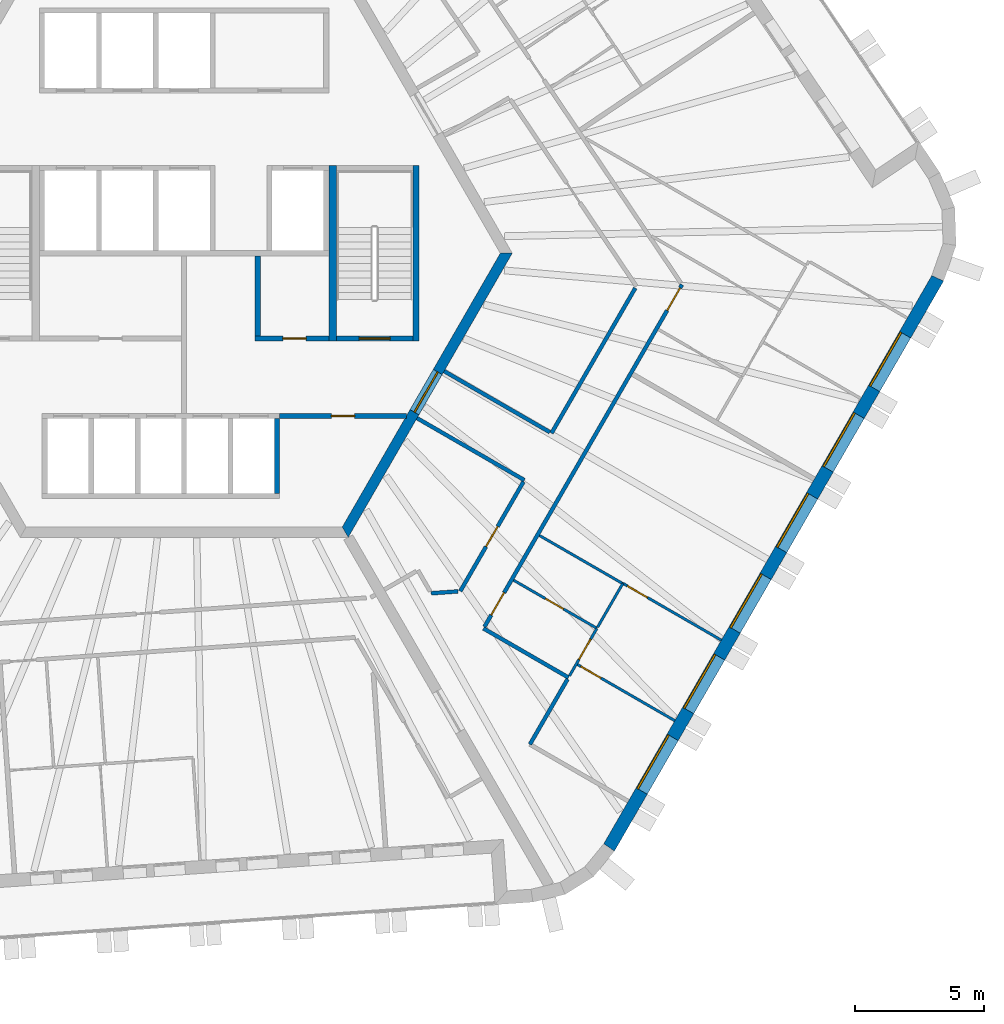
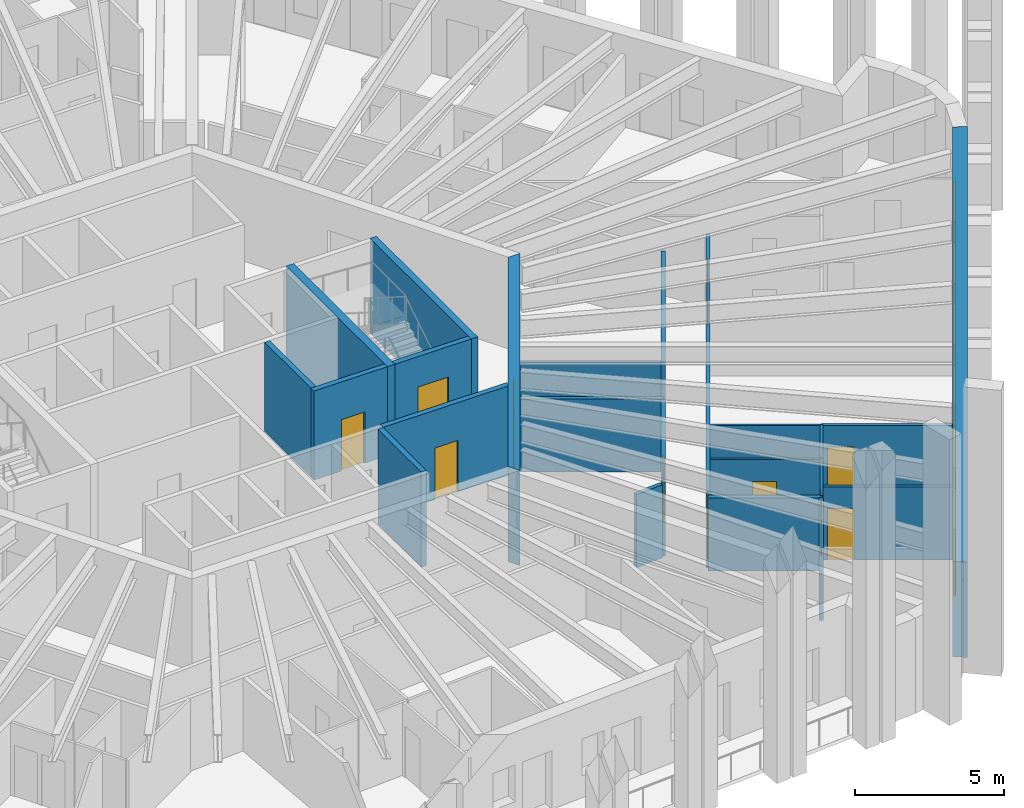
# One storey, part 6 of 13: 23 walls, 11 doors, 6 windows, 17 openings.
"""IFC4 building model written with IfcOpenShell, lengths in metres."""

from ifc_helpers import new_model, si_unit, direction, frame, frame_2d, origin, place, context, subcontext, project, spatial, polyline, rectangle, outline, extrude, material, layer, layer_set, type_object, element, fill, save


model = new_model("IFC4")

# Units and contexts
model_context = context("Model", 3, precision=1e-05, world=origin(), true_north=direction((0.0, 1.0)))
body_context = subcontext(model_context, "Body", "Model", "MODEL_VIEW")
ifc_project = project(units=[si_unit("LENGTHUNIT", "METRE"), si_unit("AREAUNIT", "SQUARE_METRE"), si_unit("VOLUMEUNIT", "CUBIC_METRE"), si_unit("PLANEANGLEUNIT", "RADIAN"), si_unit("MASSUNIT", "GRAM", prefix="KILO")], contexts=[model_context])

# Site, building, storey
site_placement = place(None, origin())
site = spatial("IfcSite", under=ifc_project, at=site_placement, CompositionType="ELEMENT")
building_placement = place(site_placement, origin())
building = spatial("IfcBuilding", under=site, at=building_placement, Name="Tarnside Tower", CompositionType="ELEMENT")
storey_placement = place(building_placement, frame((0.0, 0.0, 279.60009765625)))
storey = spatial("IfcBuildingStorey", under=building, at=storey_placement, Name="L67", CompositionType="ELEMENT", Elevation=279.60009765625)

# Wall
ifc_material_1 = material(Name="Gypsum board partition on steel studs", Category="steel")
ifc_layer_1 = layer(ifc_material_1, 0.10009765625)
ifc_layer_set_1 = layer_set([ifc_layer_1], Name="Bathroom wall 100")
wall_type_1 = type_object("IfcWallType", Name="Bathroom wall 100", PredefinedType="PARTITIONING", material=ifc_layer_set_1)
wall_1_placement = place(storey_placement, frame((13.754150390625, -10.92724609375, 0.0), z_axis=(0.0, 0.0, 1.0), x_axis=(0.866040420308, -0.499973989716, 0.0)))
element("IfcWall", 1, at=wall_1_placement, inside=storey, type_object=wall_type_1, Name="Bathroom wall 22146", PredefinedType="PARTITIONING", context=body_context, shape_type="SweptSolid", body=[
    extrude(rectangle(XDim=3.724853515625, YDim=0.10009765625, at=frame_2d((1.8623046875, 0.0))), origin(), (0.0, 0.0, 1.0), 2.98779296875),
])

# Wall, opening, door
wall_2_placement = place(storey_placement, frame((15.97998046875, -14.521728515625, 0.0), z_axis=(0.0, 0.0, 1.0), x_axis=(-0.866012039196, 0.500023147432, 0.0)))
wall_2 = element("IfcWall", 2, at=wall_2_placement, inside=storey, type_object=wall_type_1, Name="Bathroom wall 22150", PredefinedType="PARTITIONING", context=body_context, shape_type="SweptSolid", body=[
    extrude(rectangle(XDim=3.724853515625, YDim=0.10009765625, at=frame_2d((1.8623046875, 0.0))), origin(), (0.0, 0.0, 1.0), 2.98779296875),
])
opening_1_placement = place(wall_2_placement, frame((1.5, 0.0, 0.0)))
opening_1 = element("IfcOpeningElement", 3, at=opening_1_placement, cuts=wall_2, Name="Opening D-B1", PredefinedType="OPENING", context=body_context, shape_type="SweptSolid", body=[
    extrude(rectangle(XDim=0.800048828125, YDim=2.10009765625, at=frame_2d((0.39990234375, 1.050048828125))), frame((0.0, 0.06005859375, 0.0), z_axis=(0.0, -1.0, 0.0), x_axis=(1.0, 0.0, 0.0)), (0.0, 0.0, 1.0), 0.1201171875),
])
ifc_material_2 = material(Name="Timber door leaf", Category="wood")
door_type_1 = type_object("IfcDoorType", Name="Bathroom door 800", OperationType="NOTDEFINED", PredefinedType="DOOR", material=ifc_material_2)
door_1_placement = place(opening_1_placement, origin())
door_1 = element("IfcDoor", 4, at=door_1_placement, inside=storey, type_object=door_type_1, Name="Bathroom door 22056", OperationType="SINGLE_SWING_LEFT", OverallHeight=2.10009765625, OverallWidth=0.800048828125, PredefinedType="DOOR", context=body_context, shape_type="SweptSolid", body=[
    extrude(rectangle(XDim=0.800048828125, YDim=2.10009765625, at=frame_2d((0.39990234375, 1.050048828125))), frame((0.0, 0.02490234375, 0.0), z_axis=(0.0, -1.0, 0.0), x_axis=(1.0, 0.0, 0.0)), (0.0, 0.0, 1.0), 0.050048828125),
])
fill(opening_1, door_1)

# Wall
wall_3_placement = place(storey_placement, frame((16.004150390625, -14.480224609375, 0.0), z_axis=(0.0, 0.0, 1.0), x_axis=(0.499888292545, 0.866089888508, 0.0)))
element("IfcWall", 5, at=wall_3_placement, inside=storey, type_object=wall_type_1, Name="Bathroom wall 22153", PredefinedType="PARTITIONING", context=body_context, shape_type="SweptSolid", body=[
    extrude(rectangle(XDim=1.9541015625, YDim=0.10009765625, at=frame_2d((0.97705078125, 0.0))), origin(), (0.0, 0.0, 1.0), 2.98779296875),
])

# Wall, opening, door
ifc_material_3 = material(Name="Concrete C40/50", Category="concrete")
ifc_layer_2 = layer(ifc_material_3, 0.199951171875)
ifc_layer_set_2 = layer_set([ifc_layer_2], Name="Core room partition 200 C40/50")
wall_type_2 = type_object("IfcWallType", Name="Core room partition 200 C40/50", PredefinedType="PARTITIONING", material=ifc_layer_set_2)
wall_4_placement = place(storey_placement, frame((2.75, -3.300048828125, 0.0), z_axis=(0.0, 0.0, 1.0), x_axis=(1.0, 0.0, 0.0)))
wall_4 = element("IfcWall", 6, at=wall_4_placement, inside=storey, type_object=wall_type_2, Name="L67 core partition R3S1", PredefinedType="PARTITIONING", context=body_context, shape_type="SweptSolid", body=[
    extrude(rectangle(XDim=2.85009765625, YDim=0.199951171875, at=frame_2d((1.425048828125, 0.0))), origin(), (0.0, 0.0, 1.0), 3.64990234375),
])
opening_2_placement = place(wall_4_placement, frame((1.074951171875, 0.0, 0.0)))
opening_2 = element("IfcOpeningElement", 7, at=opening_2_placement, cuts=wall_4, Name="Opening CD-room", PredefinedType="OPENING", context=body_context, shape_type="SweptSolid", body=[
    extrude(rectangle(XDim=0.89990234375, YDim=2.10009765625, at=frame_2d((0.449951171875, 1.050048828125))), frame((0.0, 0.10986328125, 0.0), z_axis=(0.0, -1.0, 0.0), x_axis=(1.0, 0.0, 0.0)), (0.0, 0.0, 1.0), 0.219970703125),
])
ifc_material_4 = material(Name="Steel fire door", Category="steel")
door_type_2 = type_object("IfcDoorType", Name="Room door FD60 900x2100", OperationType="NOTDEFINED", PredefinedType="DOOR", material=ifc_material_4)
door_2_placement = place(opening_2_placement, origin())
door_2 = element("IfcDoor", 8, at=door_2_placement, inside=storey, type_object=door_type_2, Name="L67 core room door SR1", OperationType="SINGLE_SWING_LEFT", OverallHeight=2.10009765625, OverallWidth=0.89990234375, PredefinedType="DOOR", context=body_context, shape_type="SweptSolid", body=[
    extrude(rectangle(XDim=0.89990234375, YDim=2.10009765625, at=frame_2d((0.449951171875, 1.050048828125))), frame((0.0, 0.02490234375, 0.0), z_axis=(0.0, -1.0, 0.0), x_axis=(1.0, 0.0, 0.0)), (0.0, 0.0, 1.0), 0.050048828125),
])
fill(opening_2, door_2)

# Wall
wall_5_placement = place(storey_placement, frame((2.85009765625, -3.199951171875, 0.0), z_axis=(0.0, 0.0, 1.0), x_axis=(0.0, 1.0, 0.0)))
element("IfcWall", 9, at=wall_5_placement, inside=storey, type_object=wall_type_2, Name="L67 core partition R3P1a", PredefinedType="PARTITIONING", context=body_context, shape_type="SweptSolid", body=[
    extrude(rectangle(XDim=3.099853515625, YDim=0.199951171875, at=frame_2d((1.5498046875, 0.0))), origin(), (0.0, 0.0, 1.0), 3.64990234375),
])

# Wall, opening, door
wall_6_placement = place(storey_placement, frame((3.699951171875, -6.300048828125, 0.0), z_axis=(0.0, 0.0, 1.0), x_axis=(1.0, 0.0, 0.0)))
wall_6 = element("IfcWall", 10, at=wall_6_placement, inside=storey, type_object=wall_type_2, Name="L67 core partition R4X", PredefinedType="PARTITIONING", context=body_context, shape_type="SweptSolid", body=[
    extrude(rectangle(XDim=4.902587890625, YDim=0.199951171875, at=frame_2d((2.451171875, 0.0))), origin(), (0.0, 0.0, 1.0), 3.64990234375),
])
opening_3_placement = place(wall_6_placement, frame((2.001220703125, 0.0, 0.0)))
opening_3 = element("IfcOpeningElement", 11, at=opening_3_placement, cuts=wall_6, Name="Opening CD-room", PredefinedType="OPENING", context=body_context, shape_type="SweptSolid", body=[
    extrude(rectangle(XDim=0.89990234375, YDim=2.10009765625, at=frame_2d((0.449951171875, 1.050048828125))), frame((0.0, 0.10986328125, 0.0), z_axis=(0.0, -1.0, 0.0), x_axis=(1.0, 0.0, 0.0)), (0.0, 0.0, 1.0), 0.219970703125),
])
door_3_placement = place(opening_3_placement, origin())
door_3 = element("IfcDoor", 12, at=door_3_placement, inside=storey, type_object=door_type_2, Name="L67 core room door RX", OperationType="SINGLE_SWING_LEFT", OverallHeight=2.10009765625, OverallWidth=0.89990234375, PredefinedType="DOOR", context=body_context, shape_type="SweptSolid", body=[
    extrude(rectangle(XDim=0.89990234375, YDim=2.10009765625, at=frame_2d((0.449951171875, 1.050048828125))), frame((0.0, 0.02490234375, 0.0), z_axis=(0.0, -1.0, 0.0), x_axis=(1.0, 0.0, 0.0)), (0.0, 0.0, 1.0), 0.050048828125),
])
fill(opening_3, door_3)

ifc_material_5 = material(Name="Concrete C60/75", Category="concrete")
ifc_layer_3 = layer(ifc_material_5, 0.39990234375)
ifc_layer_set_3 = layer_set([ifc_layer_3], Name="Core wall Z3 400 C60/75")
wall_type_3 = type_object("IfcWallType", Name="Core wall Z3 400 C60/75", PredefinedType="SHEAR", material=ifc_layer_set_3)
wall_7_placement = place(storey_placement, frame((6.2353515625, -10.800048828125, -0.150146484375), z_axis=(0.0, 0.0, 1.0), x_axis=(0.499996419489, 0.866027470984, 0.0)))
wall_7 = element("IfcWall", 13, at=wall_7_placement, inside=storey, type_object=wall_type_3, Name="L67 core wall face 5", PredefinedType="SHEAR", context=body_context, shape_type="SweptSolid", body=[
    extrude(outline(polyline([(-0.115478515625, -0.199951171875), (12.586181640625, -0.199951171875), (12.355224609375, 0.199951171875), (0.115478515625, 0.199951171875), (-0.115478515625, -0.199951171875)])), origin(), (0.0, 0.0, 1.0), 3.900146484375),
])
opening_4_placement = place(wall_7_placement, frame((5.3642578125, 0.0, 0.14990234375)))
opening_4 = element("IfcOpeningElement", 14, at=opening_4_placement, cuts=wall_7, Name="Opening CD-FFL", PredefinedType="OPENING", context=body_context, shape_type="SweptSolid", body=[
    extrude(rectangle(XDim=1.800048828125, YDim=2.39990234375, at=frame_2d((0.89990234375, 1.199951171875))), frame((0.0, 0.2099609375, 0.0), z_axis=(0.0, -1.0, 0.0), x_axis=(1.0, 0.0, 0.0)), (0.0, 0.0, 1.0), 0.419921875),
])
door_type_3 = type_object("IfcDoorType", Name="Firefighting lobby double door FD60S 1800x2400", OperationType="NOTDEFINED", PredefinedType="DOOR", material=ifc_material_4)
door_4_placement = place(opening_4_placement, origin())
door_4 = element("IfcDoor", 15, at=door_4_placement, inside=storey, type_object=door_type_3, Name="L67 core door P4", OperationType="DOUBLE_DOOR_SINGLE_SWING", OverallHeight=2.39990234375, OverallWidth=1.800048828125, PredefinedType="DOOR", context=body_context, shape_type="SweptSolid", body=[
    extrude(rectangle(XDim=1.800048828125, YDim=2.39990234375, at=frame_2d((0.89990234375, 1.199951171875))), frame((0.0, 0.02490234375, 0.0), z_axis=(0.0, -1.0, 0.0), x_axis=(1.0, 0.0, 0.0)), (0.0, 0.0, 1.0), 0.050048828125),
])
fill(opening_4, door_4)

# Wall, openings, doors
ifc_layer_4 = layer(ifc_material_1, 0.14990234375)
ifc_layer_set_4 = layer_set([ifc_layer_4], Name="Corridor wall 150 EI 60")
wall_type_4 = type_object("IfcWallType", Name="Corridor wall 150 EI 60", PredefinedType="PARTITIONING", material=ifc_layer_set_4)
wall_8_placement = place(storey_placement, frame((11.626708984375, -14.4619140625, 0.0), z_axis=(0.0, 0.0, 1.0), x_axis=(0.499994634027, 0.866028501808, 0.0)))
wall_8 = element("IfcWall", 16, at=wall_8_placement, inside=storey, type_object=wall_type_4, Name="Corridor wall 22055", PredefinedType="PARTITIONING", context=body_context, shape_type="SweptSolid", body=[
    extrude(rectangle(XDim=15.296142578125, YDim=0.14990234375, at=frame_2d((7.64794921875, 0.0))), origin(), (0.0, 0.0, 1.0), 2.98779296875),
])
opening_5_placement = place(wall_8_placement, frame((0.52490234375, 0.0, 0.0)))
opening_5 = element("IfcOpeningElement", 17, at=opening_5_placement, cuts=wall_8, Name="Opening D-E1", PredefinedType="OPENING", context=body_context, shape_type="SweptSolid", body=[
    extrude(rectangle(XDim=1.0, YDim=2.10009765625, at=frame_2d((0.5, 1.050048828125))), frame((0.0, 0.0849609375, 0.0), z_axis=(0.0, -1.0, 0.0), x_axis=(1.0, 0.0, 0.0)), (0.0, 0.0, 1.0), 0.169921875),
])
opening_6_placement = place(wall_8_placement, frame((14.146240234375, 0.0, 0.0)))
opening_6 = element("IfcOpeningElement", 18, at=opening_6_placement, cuts=wall_8, Name="Opening D-E1", PredefinedType="OPENING", context=body_context, shape_type="SweptSolid", body=[
    extrude(rectangle(XDim=1.0, YDim=2.10009765625, at=frame_2d((0.5, 1.050048828125))), frame((0.0, 0.0849609375, 0.0), z_axis=(0.0, -1.0, 0.0), x_axis=(1.0, 0.0, 0.0)), (0.0, 0.0, 1.0), 0.169921875),
])
door_type_4 = type_object("IfcDoorType", Name="Unit entrance door 1000 FD30S", OperationType="NOTDEFINED", PredefinedType="DOOR", material=ifc_material_2)
door_5_placement = place(opening_5_placement, origin())
door_5 = element("IfcDoor", 19, at=door_5_placement, inside=storey, type_object=door_type_4, Name="Unit door 22055", OperationType="SINGLE_SWING_RIGHT", OverallHeight=2.10009765625, OverallWidth=1.0, PredefinedType="DOOR", context=body_context, shape_type="SweptSolid", body=[
    extrude(rectangle(XDim=1.0, YDim=2.10009765625, at=frame_2d((0.5, 1.050048828125))), frame((0.0, 0.02490234375, 0.0), z_axis=(0.0, -1.0, 0.0), x_axis=(1.0, 0.0, 0.0)), (0.0, 0.0, 1.0), 0.050048828125),
])
fill(opening_5, door_5)
door_6_placement = place(opening_6_placement, origin())
door_6 = element("IfcDoor", 20, at=door_6_placement, inside=storey, type_object=door_type_4, Name="Unit door 22065", OperationType="SINGLE_SWING_LEFT", OverallHeight=2.10009765625, OverallWidth=1.0, PredefinedType="DOOR", context=body_context, shape_type="SweptSolid", body=[
    extrude(rectangle(XDim=1.0, YDim=2.10009765625, at=frame_2d((0.5, 1.050048828125))), frame((0.0, 0.02490234375, 0.0), z_axis=(0.0, -1.0, 0.0), x_axis=(1.0, 0.0, 0.0)), (0.0, 0.0, 1.0), 0.050048828125),
])
fill(opening_6, door_6)

# Walls
wall_9_placement = place(storey_placement, frame((14.880126953125, -16.427001953125, 0.0), z_axis=(0.0, 0.0, 1.0), x_axis=(-0.86601654697, 0.500015340139, 0.0)))
element("IfcWall", 21, at=wall_9_placement, inside=storey, type_object=wall_type_4, Name="Corridor wall 22056", PredefinedType="PARTITIONING", context=body_context, shape_type="SweptSolid", body=[
    extrude(rectangle(XDim=3.80029296875, YDim=0.14990234375, at=frame_2d((1.900146484375, 0.0))), origin(), (0.0, 0.0, 1.0), 2.98779296875),
])
wall_10_placement = place(storey_placement, frame((13.38623046875, -19.014404296875, 0.0), z_axis=(0.0, 0.0, 1.0), x_axis=(0.499983307531, 0.866035040971, 0.0)))
element("IfcWall", 22, at=wall_10_placement, inside=storey, type_object=wall_type_4, Name="Corridor wall 22059", PredefinedType="PARTITIONING", context=body_context, shape_type="SweptSolid", body=[
    extrude(rectangle(XDim=2.91650390625, YDim=0.14990234375, at=frame_2d((1.458251953125, 0.0))), origin(), (0.0, 0.0, 1.0), 2.98779296875),
])
wall_11_placement = place(storey_placement, frame((17.46533203125, -1.34912109375, 0.0), z_axis=(0.0, 0.0, 1.0), x_axis=(-0.500001610943, -0.866024473704, 0.0)))
element("IfcWall", 23, at=wall_11_placement, inside=storey, type_object=wall_type_4, Name="Corridor wall 22074", PredefinedType="PARTITIONING", context=body_context, shape_type="SweptSolid", body=[
    extrude(rectangle(XDim=6.4853515625, YDim=0.14990234375, at=frame_2d((3.24267578125, 0.0))), origin(), (0.0, 0.0, 1.0), 2.98779296875),
])
wall_12_placement = place(storey_placement, frame((14.15771484375, -6.92822265625, 0.0), z_axis=(0.0, 0.0, 1.0), x_axis=(-0.866024684746, 0.500001245408, 0.0)))
element("IfcWall", 24, at=wall_12_placement, inside=storey, type_object=wall_type_4, Name="Corridor wall 22075", PredefinedType="PARTITIONING", context=body_context, shape_type="SweptSolid", body=[
    extrude(rectangle(XDim=4.72509765625, YDim=0.14990234375, at=frame_2d((2.362548828125, 0.0))), origin(), (0.0, 0.0, 1.0), 2.98779296875),
])
wall_13_placement = place(storey_placement, frame((9.015625, -6.38427734375, 0.0), z_axis=(0.0, 0.0, 1.0), x_axis=(0.866015339567, -0.500017431331, 0.0)))
element("IfcWall", 25, at=wall_13_placement, inside=storey, type_object=wall_type_4, Name="Corridor wall 22076", PredefinedType="PARTITIONING", context=body_context, shape_type="SweptSolid", body=[
    extrude(rectangle(XDim=4.800048828125, YDim=0.14990234375, at=frame_2d((2.39990234375, 0.0))), origin(), (0.0, 0.0, 1.0), 2.98779296875),
])

# Wall, opening, door
wall_14_placement = place(storey_placement, frame((13.13525390625, -8.849365234375, 0.0), z_axis=(0.0, 0.0, 1.0), x_axis=(-0.500024829938, -0.866011067739, 0.0)))
wall_14 = element("IfcWall", 26, at=wall_14_placement, inside=storey, type_object=wall_type_4, Name="Corridor wall 22077", PredefinedType="PARTITIONING", context=body_context, shape_type="SweptSolid", body=[
    extrude(rectangle(XDim=4.892333984375, YDim=0.14990234375, at=frame_2d((2.4462890625, 0.0))), origin(), (0.0, 0.0, 1.0), 2.98779296875),
])
opening_7_placement = place(wall_14_placement, frame((1.996337890625, 0.0, 0.0)))
opening_7 = element("IfcOpeningElement", 27, at=opening_7_placement, cuts=wall_14, Name="Opening D-S1", PredefinedType="OPENING", context=body_context, shape_type="SweptSolid", body=[
    extrude(rectangle(XDim=0.89990234375, YDim=2.10009765625, at=frame_2d((0.449951171875, 1.050048828125))), frame((0.0, 0.0849609375, 0.0), z_axis=(0.0, -1.0, 0.0), x_axis=(1.0, 0.0, 0.0)), (0.0, 0.0, 1.0), 0.169921875),
])
door_type_5 = type_object("IfcDoorType", Name="Service room door 900 FD30S", OperationType="NOTDEFINED", PredefinedType="DOOR", material=ifc_material_2)
door_7_placement = place(opening_7_placement, origin())
door_7 = element("IfcDoor", 28, at=door_7_placement, inside=storey, type_object=door_type_5, Name="Service door 22091", OperationType="SINGLE_SWING_LEFT", OverallHeight=2.10009765625, OverallWidth=0.89990234375, PredefinedType="DOOR", context=body_context, shape_type="SweptSolid", body=[
    extrude(rectangle(XDim=0.89990234375, YDim=2.10009765625, at=frame_2d((0.449951171875, 1.050048828125))), frame((0.0, 0.02490234375, 0.0), z_axis=(0.0, -1.0, 0.0), x_axis=(1.0, 0.0, 0.0)), (0.0, 0.0, 1.0), 0.050048828125),
])
fill(opening_7, door_7)

# Walls
wall_15_placement = place(storey_placement, frame((10.5986328125, -13.092529296875, 0.0), z_axis=(0.0, 0.0, 1.0), x_axis=(-0.99755453913, -0.069892356245, 0.0)))
element("IfcWall", 29, at=wall_15_placement, inside=storey, type_object=wall_type_4, Name="Corridor wall 22078", PredefinedType="PARTITIONING", context=body_context, shape_type="SweptSolid", body=[
    extrude(rectangle(XDim=1.037353515625, YDim=0.14990234375, at=frame_2d((0.5185546875, 0.0))), origin(), (0.0, 0.0, 1.0), 2.98779296875),
])
ifc_layer_5 = layer(ifc_material_3, 0.199951171875)
ifc_layer_set_5 = layer_set([ifc_layer_5], Name="Lift shaft wall 200 C40/50")
wall_type_5 = type_object("IfcWallType", Name="Lift shaft wall 200 C40/50", PredefinedType="SHEAR", material=ifc_layer_set_5)
wall_16_placement = place(storey_placement, frame((3.60009765625, -9.300048828125, -0.25), z_axis=(0.0, 0.0, 1.0), x_axis=(0.0, 1.0, 0.0)))
element("IfcWall", 30, at=wall_16_placement, inside=storey, type_object=wall_type_5, Name="L67 lift shaft partition R46", PredefinedType="SHEAR", context=body_context, shape_type="SweptSolid", body=[
    extrude(rectangle(XDim=2.900146484375, YDim=0.199951171875, at=frame_2d((1.4501953125, 0.0))), origin(), (0.0, 0.0, 1.0), 3.89990234375),
])

# Wall, opening, door
wall_17_placement = place(storey_placement, frame((5.89990234375, -3.300048828125, -0.25), z_axis=(0.0, 0.0, 1.0), x_axis=(1.0, 0.0, 0.0)))
wall_17 = element("IfcWall", 31, at=wall_17_placement, inside=storey, type_object=wall_type_5, Name="L67 stair 1 enclosure cap wall s", PredefinedType="SHEAR", context=body_context, shape_type="SweptSolid", body=[
    extrude(rectangle(XDim=2.9501953125, YDim=0.199951171875, at=frame_2d((1.47509765625, 0.0))), origin(), (0.0, 0.0, 1.0), 3.89990234375),
])
opening_8_placement = place(wall_17_placement, frame((0.875, 0.0, 0.25)))
opening_8 = element("IfcOpeningElement", 32, at=opening_8_placement, cuts=wall_17, Name="Opening CD-STR", PredefinedType="OPENING", context=body_context, shape_type="SweptSolid", body=[
    extrude(rectangle(XDim=1.199951171875, YDim=2.39990234375, at=frame_2d((0.60009765625, 1.199951171875))), frame((0.0, 0.10986328125, 0.0), z_axis=(0.0, -1.0, 0.0), x_axis=(1.0, 0.0, 0.0)), (0.0, 0.0, 1.0), 0.219970703125),
])
door_type_6 = type_object("IfcDoorType", Name="Stair door FD60S 1200x2400", OperationType="NOTDEFINED", PredefinedType="DOOR", material=ifc_material_4)
door_8_placement = place(opening_8_placement, origin())
door_8 = element("IfcDoor", 33, at=door_8_placement, inside=storey, type_object=door_type_6, Name="L67 stair 1 door", OperationType="SINGLE_SWING_LEFT", OverallHeight=2.39990234375, OverallWidth=1.199951171875, PredefinedType="DOOR", context=body_context, shape_type="SweptSolid", body=[
    extrude(rectangle(XDim=1.199951171875, YDim=2.39990234375, at=frame_2d((0.60009765625, 1.199951171875))), frame((0.0, 0.02490234375, 0.0), z_axis=(0.0, -1.0, 0.0), x_axis=(1.0, 0.0, 0.0)), (0.0, 0.0, 1.0), 0.050048828125),
])
fill(opening_8, door_8)

ifc_layer_6 = layer(ifc_material_1, 0.10009765625)
ifc_layer_set_6 = layer_set([ifc_layer_6], Name="Partition 100")
wall_type_6 = type_object("IfcWallType", Name="Partition 100", PredefinedType="PARTITIONING", material=ifc_layer_set_6)
wall_18_placement = place(storey_placement, frame((16.985595703125, -12.7802734375, 0.0), z_axis=(0.0, 0.0, 1.0), x_axis=(0.866032203192, -0.499988222896, 0.0)))
wall_18 = element("IfcWall", 34, at=wall_18_placement, inside=storey, type_object=wall_type_6, Name="Partition wall 22147", PredefinedType="PARTITIONING", context=body_context, shape_type="SweptSolid", body=[
    extrude(rectangle(XDim=4.39990234375, YDim=0.10009765625, at=frame_2d((2.199951171875, 0.0))), origin(), (0.0, 0.0, 1.0), 2.98779296875),
])
opening_9_placement = place(wall_18_placement, frame((0.199951171875, 0.0, 0.0)))
opening_9 = element("IfcOpeningElement", 35, at=opening_9_placement, cuts=wall_18, Name="Opening D-I1", PredefinedType="OPENING", context=body_context, shape_type="SweptSolid", body=[
    extrude(rectangle(XDim=0.89990234375, YDim=2.10009765625, at=frame_2d((0.449951171875, 1.050048828125))), frame((0.0, 0.06005859375, 0.0), z_axis=(0.0, -1.0, 0.0), x_axis=(1.0, 0.0, 0.0)), (0.0, 0.0, 1.0), 0.1201171875),
])
door_type_7 = type_object("IfcDoorType", Name="Internal door 900", OperationType="NOTDEFINED", PredefinedType="DOOR", material=ifc_material_2)
door_9_placement = place(opening_9_placement, origin())
door_9 = element("IfcDoor", 36, at=door_9_placement, inside=storey, type_object=door_type_7, Name="Internal door 22064", OperationType="SINGLE_SWING_RIGHT", OverallHeight=2.10009765625, OverallWidth=0.89990234375, PredefinedType="DOOR", context=body_context, shape_type="SweptSolid", body=[
    extrude(rectangle(XDim=0.89990234375, YDim=2.10009765625, at=frame_2d((0.449951171875, 1.050048828125))), frame((0.0, 0.02490234375, 0.0), z_axis=(0.0, -1.0, 0.0), x_axis=(1.0, 0.0, 0.0)), (0.0, 0.0, 1.0), 0.050048828125),
])
fill(opening_9, door_9)

wall_19_placement = place(storey_placement, frame((14.91650390625, -16.36376953125, 0.0), z_axis=(0.0, 0.0, 1.0), x_axis=(0.499987164874, 0.866032814021, 0.0)))
wall_19 = element("IfcWall", 37, at=wall_19_placement, inside=storey, type_object=wall_type_6, Name="Partition wall 22151", PredefinedType="PARTITIONING", context=body_context, shape_type="SweptSolid", body=[
    extrude(rectangle(XDim=2.12890625, YDim=0.10009765625, at=frame_2d((1.064453125, 0.0))), origin(), (0.0, 0.0, 1.0), 2.98779296875),
])
opening_10_placement = place(wall_19_placement, frame((0.738037109375, 0.0, 0.0)))
opening_10 = element("IfcOpeningElement", 38, at=opening_10_placement, cuts=wall_19, Name="Opening D-I1", PredefinedType="OPENING", context=body_context, shape_type="SweptSolid", body=[
    extrude(rectangle(XDim=0.89990234375, YDim=2.10009765625, at=frame_2d((0.449951171875, 1.050048828125))), frame((0.0, 0.06005859375, 0.0), z_axis=(0.0, -1.0, 0.0), x_axis=(1.0, 0.0, 0.0)), (0.0, 0.0, 1.0), 0.1201171875),
])
door_10_placement = place(opening_10_placement, origin())
door_10 = element("IfcDoor", 39, at=door_10_placement, inside=storey, type_object=door_type_7, Name="Internal door 22059", OperationType="SINGLE_SWING_RIGHT", OverallHeight=2.10009765625, OverallWidth=0.89990234375, PredefinedType="DOOR", context=body_context, shape_type="SweptSolid", body=[
    extrude(rectangle(XDim=0.89990234375, YDim=2.10009765625, at=frame_2d((0.449951171875, 1.050048828125))), frame((0.0, 0.02490234375, 0.0), z_axis=(0.0, -1.0, 0.0), x_axis=(1.0, 0.0, 0.0)), (0.0, 0.0, 1.0), 0.050048828125),
])
fill(opening_10, door_10)

wall_20_placement = place(storey_placement, frame((18.99609375, -18.097900390625, 0.0), z_axis=(0.0, 0.0, 1.0), x_axis=(-0.866027639635, 0.499996127374, 0.0)))
wall_20 = element("IfcWall", 40, at=wall_20_placement, inside=storey, type_object=wall_type_6, Name="Partition wall 22154", PredefinedType="PARTITIONING", context=body_context, shape_type="SweptSolid", body=[
    extrude(rectangle(XDim=4.35009765625, YDim=0.10009765625, at=frame_2d((2.175048828125, 0.0))), origin(), (0.0, 0.0, 1.0), 2.98779296875),
])
opening_11_placement = place(wall_20_placement, frame((3.300048828125, 0.0, 0.0)))
opening_11 = element("IfcOpeningElement", 41, at=opening_11_placement, cuts=wall_20, Name="Opening D-I1", PredefinedType="OPENING", context=body_context, shape_type="SweptSolid", body=[
    extrude(rectangle(XDim=0.89990234375, YDim=2.10009765625, at=frame_2d((0.449951171875, 1.050048828125))), frame((0.0, 0.06005859375, 0.0), z_axis=(0.0, -1.0, 0.0), x_axis=(1.0, 0.0, 0.0)), (0.0, 0.0, 1.0), 0.1201171875),
])
door_11_placement = place(opening_11_placement, origin())
door_11 = element("IfcDoor", 42, at=door_11_placement, inside=storey, type_object=door_type_7, Name="Internal door 22062", OperationType="SINGLE_SWING_RIGHT", OverallHeight=2.10009765625, OverallWidth=0.89990234375, PredefinedType="DOOR", context=body_context, shape_type="SweptSolid", body=[
    extrude(rectangle(XDim=0.89990234375, YDim=2.10009765625, at=frame_2d((0.449951171875, 1.050048828125))), frame((0.0, 0.02490234375, 0.0), z_axis=(0.0, -1.0, 0.0), x_axis=(1.0, 0.0, 0.0)), (0.0, 0.0, 1.0), 0.050048828125),
])
fill(opening_11, door_11)

# Walls
ifc_layer_7 = layer(ifc_material_3, 0.25)
ifc_layer_set_7 = layer_set([ifc_layer_7], Name="Stair enclosure wall 250 C40/50")
wall_type_7 = type_object("IfcWallType", Name="Stair enclosure wall 250 C40/50", PredefinedType="SHEAR", material=ifc_layer_set_7)
wall_21_placement = place(storey_placement, frame((8.97509765625, -3.39990234375, -0.25), z_axis=(0.0, 0.0, 1.0), x_axis=(0.0, 1.0, 0.0)))
element("IfcWall", 43, at=wall_21_placement, inside=storey, type_object=wall_type_7, Name="L67 stair 1 enclosure wall outer", PredefinedType="SHEAR", context=body_context, shape_type="SweptSolid", body=[
    extrude(rectangle(XDim=6.7998046875, YDim=0.25, at=frame_2d((3.39990234375, 0.0))), origin(), (0.0, 0.0, 1.0), 3.89990234375),
])
ifc_layer_8 = layer(ifc_material_3, 0.300048828125)
ifc_layer_set_8 = layer_set([ifc_layer_8], Name="Stair enclosure wall 300 C40/50")
wall_type_8 = type_object("IfcWallType", Name="Stair enclosure wall 300 C40/50", PredefinedType="SHEAR", material=ifc_layer_set_8)
wall_22_placement = place(storey_placement, frame((5.75, -3.39990234375, -0.25), z_axis=(0.0, 0.0, 1.0), x_axis=(0.0, 1.0, 0.0)))
element("IfcWall", 44, at=wall_22_placement, inside=storey, type_object=wall_type_8, Name="L67 stair 1 enclosure wall inner", PredefinedType="SHEAR", context=body_context, shape_type="SweptSolid", body=[
    extrude(rectangle(XDim=6.7998046875, YDim=0.300048828125, at=frame_2d((3.39990234375, 0.0))), origin(), (0.0, 0.0, 1.0), 3.89990234375),
])

# Wall, openings, windows
ifc_material_6 = material(Name="Facing brick", Category="masonry")
ifc_layer_9 = layer(ifc_material_6, 0.10205078125)
ifc_material_7 = material(Name="Concrete C60/75 precast", Category="concrete")
ifc_layer_10 = layer(ifc_material_7, 0.298095703125)
ifc_material_8 = material(Name="Mineral wool insulation")
ifc_layer_11 = layer(ifc_material_8, 0.10009765625)
ifc_layer_set_9 = layer_set([ifc_layer_9, ifc_layer_10, ifc_layer_11], Name="Tube wall 500 brick faced")
wall_type_9 = type_object("IfcWallType", Name="Tube wall 500 brick faced", PredefinedType="SOLIDWALL", material=ifc_layer_set_9)
wall_23_placement = place(storey_placement, frame((16.451416015625, -23.00537109375, -0.150146484375), z_axis=(0.0, 0.0, 1.0), x_axis=(0.500003737743, 0.866023245787, 0.0)))
wall_23 = element("IfcWall", 45, at=wall_23_placement, inside=storey, type_object=wall_type_9, Name="Tube wall L67 F5 flush 24", PredefinedType="SOLIDWALL", context=body_context, shape_type="SweptSolid", body=[
    extrude(outline(polyline([(-0.0205078125, -0.25), (25.468017578125, -0.25), (25.421142578125, 0.25), (0.0205078125, 0.25), (-0.0205078125, -0.25)])), origin(), (0.0, 0.0, 1.0), 3.900146484375),
])
opening_12_placement = place(wall_23_placement, frame((2.5224609375, 0.0, 0.75)))
opening_12 = element("IfcOpeningElement", 46, at=opening_12_placement, cuts=wall_23, Name="Opening WR", PredefinedType="OPENING", context=body_context, shape_type="SweptSolid", body=[
    extrude(rectangle(XDim=2.39990234375, YDim=2.699951171875, at=frame_2d((1.199951171875, 1.35009765625))), frame((0.0, 0.260009765625, 0.0), z_axis=(0.0, -1.0, 0.0), x_axis=(1.0, 0.0, 0.0)), (0.0, 0.0, 1.0), 0.52001953125),
])
opening_13_placement = place(wall_23_placement, frame((6.122314453125, 0.0, 0.75)))
opening_13 = element("IfcOpeningElement", 47, at=opening_13_placement, cuts=wall_23, Name="Opening WR", PredefinedType="OPENING", context=body_context, shape_type="SweptSolid", body=[
    extrude(rectangle(XDim=2.39990234375, YDim=2.699951171875, at=frame_2d((1.199951171875, 1.35009765625))), frame((0.0, 0.260009765625, 0.0), z_axis=(0.0, -1.0, 0.0), x_axis=(1.0, 0.0, 0.0)), (0.0, 0.0, 1.0), 0.52001953125),
])
opening_14_placement = place(wall_23_placement, frame((9.722412109375, 0.0, 0.75)))
opening_14 = element("IfcOpeningElement", 48, at=opening_14_placement, cuts=wall_23, Name="Opening WR", PredefinedType="OPENING", context=body_context, shape_type="SweptSolid", body=[
    extrude(rectangle(XDim=2.39990234375, YDim=2.699951171875, at=frame_2d((1.199951171875, 1.35009765625))), frame((0.0, 0.260009765625, 0.0), z_axis=(0.0, -1.0, 0.0), x_axis=(1.0, 0.0, 0.0)), (0.0, 0.0, 1.0), 0.52001953125),
])
opening_15_placement = place(wall_23_placement, frame((13.322509765625, 0.0, 0.75)))
opening_15 = element("IfcOpeningElement", 49, at=opening_15_placement, cuts=wall_23, Name="Opening WR", PredefinedType="OPENING", context=body_context, shape_type="SweptSolid", body=[
    extrude(rectangle(XDim=2.39990234375, YDim=2.699951171875, at=frame_2d((1.199951171875, 1.35009765625))), frame((0.0, 0.260009765625, 0.0), z_axis=(0.0, -1.0, 0.0), x_axis=(1.0, 0.0, 0.0)), (0.0, 0.0, 1.0), 0.52001953125),
])
opening_16_placement = place(wall_23_placement, frame((16.92236328125, 0.0, 0.75)))
opening_16 = element("IfcOpeningElement", 50, at=opening_16_placement, cuts=wall_23, Name="Opening WR", PredefinedType="OPENING", context=body_context, shape_type="SweptSolid", body=[
    extrude(rectangle(XDim=2.39990234375, YDim=2.699951171875, at=frame_2d((1.199951171875, 1.35009765625))), frame((0.0, 0.260009765625, 0.0), z_axis=(0.0, -1.0, 0.0), x_axis=(1.0, 0.0, 0.0)), (0.0, 0.0, 1.0), 0.52001953125),
])
opening_17_placement = place(wall_23_placement, frame((20.5224609375, 0.0, 0.75)))
opening_17 = element("IfcOpeningElement", 51, at=opening_17_placement, cuts=wall_23, Name="Opening WR", PredefinedType="OPENING", context=body_context, shape_type="SweptSolid", body=[
    extrude(rectangle(XDim=2.39990234375, YDim=2.699951171875, at=frame_2d((1.199951171875, 1.35009765625))), frame((0.0, 0.260009765625, 0.0), z_axis=(0.0, -1.0, 0.0), x_axis=(1.0, 0.0, 0.0)), (0.0, 0.0, 1.0), 0.52001953125),
])
ifc_material_9 = material(Name="Aluminium-framed double glazing", Category="aluminium")
window_type = type_object("IfcWindowType", Name="Residence window 2400 x 2700", PartitioningType="DOUBLE_PANEL_VERTICAL", PredefinedType="WINDOW", material=ifc_material_9)
window_1_placement = place(opening_12_placement, frame((0.0, 0.179931640625, 0.0)))
window_1 = element("IfcWindow", 52, at=window_1_placement, inside=storey, type_object=window_type, Name="E.WN.L67.F5.00", OverallHeight=2.699951171875, OverallWidth=2.39990234375, PartitioningType="DOUBLE_PANEL_VERTICAL", PredefinedType="WINDOW", context=body_context, shape_type="SweptSolid", body=[
    extrude(rectangle(XDim=2.39990234375, YDim=2.699951171875, at=frame_2d((1.199951171875, 1.35009765625))), frame((0.0, 0.030029296875, 0.0), z_axis=(0.0, -1.0, 0.0), x_axis=(1.0, 0.0, 0.0)), (0.0, 0.0, 1.0), 0.06005859375),
])
fill(opening_12, window_1)
window_2_placement = place(opening_13_placement, frame((0.0, 0.179931640625, 0.0)))
window_2 = element("IfcWindow", 53, at=window_2_placement, inside=storey, type_object=window_type, Name="E.WN.L67.F5.01", OverallHeight=2.699951171875, OverallWidth=2.39990234375, PartitioningType="DOUBLE_PANEL_VERTICAL", PredefinedType="WINDOW", context=body_context, shape_type="SweptSolid", body=[
    extrude(rectangle(XDim=2.39990234375, YDim=2.699951171875, at=frame_2d((1.199951171875, 1.35009765625))), frame((0.0, 0.030029296875, 0.0), z_axis=(0.0, -1.0, 0.0), x_axis=(1.0, 0.0, 0.0)), (0.0, 0.0, 1.0), 0.06005859375),
])
fill(opening_13, window_2)
window_3_placement = place(opening_14_placement, frame((0.0, 0.179931640625, 0.0)))
window_3 = element("IfcWindow", 54, at=window_3_placement, inside=storey, type_object=window_type, Name="E.WN.L67.F5.02", OverallHeight=2.699951171875, OverallWidth=2.39990234375, PartitioningType="DOUBLE_PANEL_VERTICAL", PredefinedType="WINDOW", context=body_context, shape_type="SweptSolid", body=[
    extrude(rectangle(XDim=2.39990234375, YDim=2.699951171875, at=frame_2d((1.199951171875, 1.35009765625))), frame((0.0, 0.030029296875, 0.0), z_axis=(0.0, -1.0, 0.0), x_axis=(1.0, 0.0, 0.0)), (0.0, 0.0, 1.0), 0.06005859375),
])
fill(opening_14, window_3)
window_4_placement = place(opening_15_placement, frame((0.0, 0.179931640625, 0.0)))
window_4 = element("IfcWindow", 55, at=window_4_placement, inside=storey, type_object=window_type, Name="E.WN.L67.F5.03", OverallHeight=2.699951171875, OverallWidth=2.39990234375, PartitioningType="DOUBLE_PANEL_VERTICAL", PredefinedType="WINDOW", context=body_context, shape_type="SweptSolid", body=[
    extrude(rectangle(XDim=2.39990234375, YDim=2.699951171875, at=frame_2d((1.199951171875, 1.35009765625))), frame((0.0, 0.030029296875, 0.0), z_axis=(0.0, -1.0, 0.0), x_axis=(1.0, 0.0, 0.0)), (0.0, 0.0, 1.0), 0.06005859375),
])
fill(opening_15, window_4)
window_5_placement = place(opening_16_placement, frame((0.0, 0.179931640625, 0.0)))
window_5 = element("IfcWindow", 56, at=window_5_placement, inside=storey, type_object=window_type, Name="E.WN.L67.F5.04", OverallHeight=2.699951171875, OverallWidth=2.39990234375, PartitioningType="DOUBLE_PANEL_VERTICAL", PredefinedType="WINDOW", context=body_context, shape_type="SweptSolid", body=[
    extrude(rectangle(XDim=2.39990234375, YDim=2.699951171875, at=frame_2d((1.199951171875, 1.35009765625))), frame((0.0, 0.030029296875, 0.0), z_axis=(0.0, -1.0, 0.0), x_axis=(1.0, 0.0, 0.0)), (0.0, 0.0, 1.0), 0.06005859375),
])
fill(opening_16, window_5)
window_6_placement = place(opening_17_placement, frame((0.0, 0.179931640625, 0.0)))
window_6 = element("IfcWindow", 57, at=window_6_placement, inside=storey, type_object=window_type, Name="E.WN.L67.F5.05", OverallHeight=2.699951171875, OverallWidth=2.39990234375, PartitioningType="DOUBLE_PANEL_VERTICAL", PredefinedType="WINDOW", context=body_context, shape_type="SweptSolid", body=[
    extrude(rectangle(XDim=2.39990234375, YDim=2.699951171875, at=frame_2d((1.199951171875, 1.35009765625))), frame((0.0, 0.030029296875, 0.0), z_axis=(0.0, -1.0, 0.0), x_axis=(1.0, 0.0, 0.0)), (0.0, 0.0, 1.0), 0.06005859375),
])
fill(opening_17, window_6)

save(model, "model.ifc")
